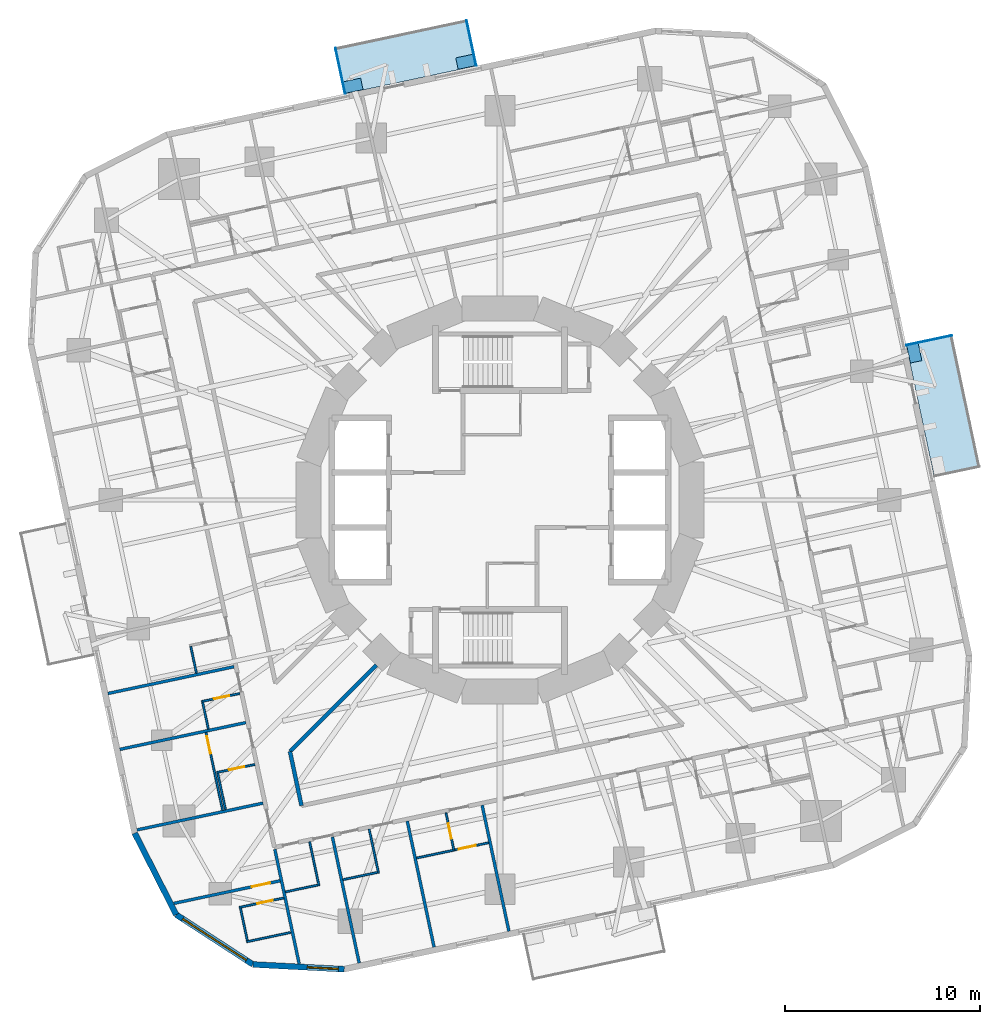
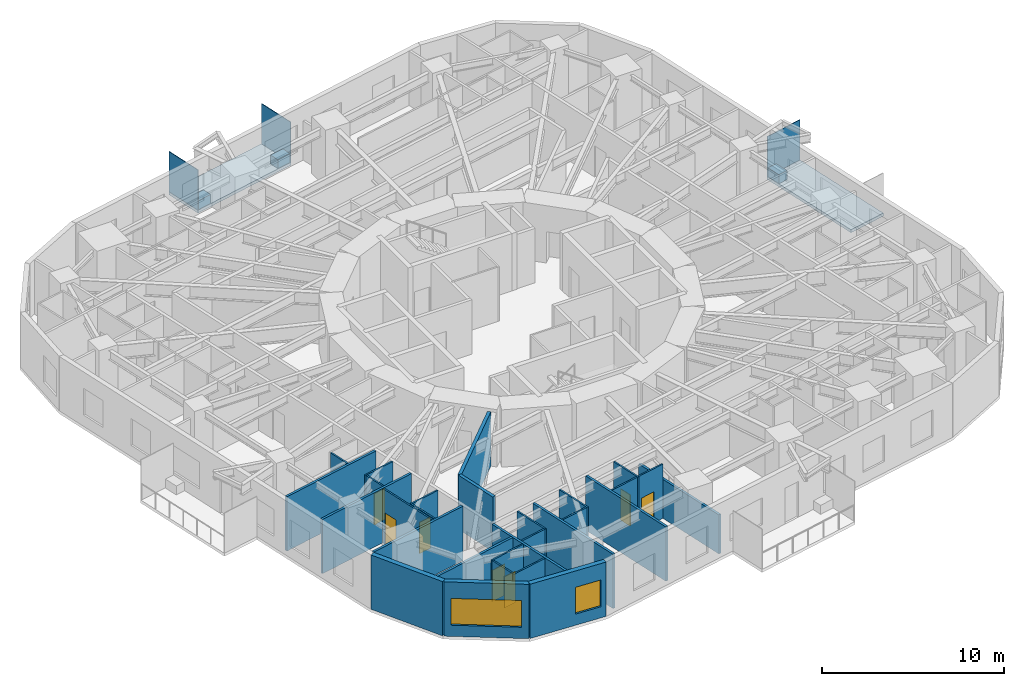
# One storey, part 4 of 14: 29 walls, 7 doors, 6 plates, 2 slabs, 2 windows, 9 openings.
"""IFC4 building model written with IfcOpenShell, lengths in metres."""

from ifc_helpers import new_model, si_unit, direction, frame, frame_2d, origin, origin_2d, place, context, subcontext, project, spatial, polyline, rectangle, outline, extrude, material, layer, layer_set, type_object, element, fill, save


model = new_model("IFC4")

# Units and contexts
model_context = context("Model", 3, precision=1e-05, world=origin(), true_north=direction((0.0, 1.0)))
body_context = subcontext(model_context, "Body", "Model", "MODEL_VIEW")
ifc_project = project(units=[si_unit("LENGTHUNIT", "METRE"), si_unit("AREAUNIT", "SQUARE_METRE"), si_unit("VOLUMEUNIT", "CUBIC_METRE"), si_unit("PLANEANGLEUNIT", "RADIAN"), si_unit("MASSUNIT", "GRAM", prefix="KILO")], contexts=[model_context])

# Site, building, storey
site_placement = place(None, origin())
site = spatial("IfcSite", under=ifc_project, at=site_placement, CompositionType="ELEMENT")
building_placement = place(site_placement, origin())
building = spatial("IfcBuilding", under=site, at=building_placement, Name="Nakasero Lantern House", CompositionType="ELEMENT")
storey_placement = place(building_placement, frame((0.0, 0.0, 124.25)))
storey = spatial("IfcBuildingStorey", under=building, at=storey_placement, Name="L30", CompositionType="ELEMENT", Elevation=124.25)

# Plates
ifc_material_1 = material(Name="Aluminium 6063-T6", Category="aluminium")
ifc_layer_1 = layer(ifc_material_1, 0.60009765625)
ifc_layer_set_1 = layer_set([ifc_layer_1], Name="Balcony planter 600x900")
plate_type_1 = type_object("IfcPlateType", Name="Balcony planter 600x900", PredefinedType="USERDEFINED", material=ifc_layer_set_1)
for number, where, z_axis, x_axis, name in (
    (1, (21.220947265625, 7.516357421875, 0.0), (0.0, 0.0, 1.0), (0.978147600734, 0.207911690818, 0.0), "Balcony PLANTER L30 BAL0B"),
    (2, (-1.764892578125, 22.443603515625, 0.0), (0.0, 0.0, 1.0), (-0.207911690818, 0.978147600734, 0.0), "Balcony PLANTER L30 BAL1A"),
    (3, (-7.516357421875, 21.220947265625, 0.0), (0.0, 0.0, 1.0), (-0.207911690818, 0.978147600734, 0.0), "Balcony PLANTER L30 BAL1B"),
):
    element("IfcPlate", number, at=place(storey_placement, frame(where, z_axis=z_axis, x_axis=x_axis)), inside=storey, type_object=plate_type_1, Name=name, ObjectType="PLANTER", PredefinedType="USERDEFINED", context=body_context, shape_type="SweptSolid", body=[
        extrude(rectangle(XDim=0.60009765625, YDim=0.89990234375, at=origin_2d()), origin(), (0.0, 0.0, 1.0), 0.60009765625),
    ])
ifc_material_2 = material(Name="Aluminium 6063-T6", Category="aluminium")
ifc_layer_2 = layer(ifc_material_2, 0.0400390625)
ifc_layer_set_2 = layer_set([ifc_layer_2], Name="Balcony screen 2400x2700")
plate_type_2 = type_object("IfcPlateType", Name="Balcony screen 2400x2700", PredefinedType="SHEET", material=ifc_layer_set_2)
for number, where, z_axis, x_axis, name in (
    (4, (21.97998046875, 8.1787109375, 0.0), (0.0, 0.0, 1.0), (0.978147600734, 0.207911690818, 0.0), "Balcony SCREEN L30 BAL0B"),
    (5, (-1.468505859375, 23.40625, 0.0), (0.0, 0.0, 1.0), (-0.207911690818, 0.978147600734, 0.0), "Balcony SCREEN L30 BAL1A"),
    (6, (-8.1787109375, 21.97998046875, 0.0), (0.0, 0.0, 1.0), (-0.207911690818, 0.978147600734, 0.0), "Balcony SCREEN L30 BAL1B"),
):
    element("IfcPlate", number, at=place(storey_placement, frame(where, z_axis=z_axis, x_axis=x_axis)), inside=storey, type_object=plate_type_2, Name=name, PredefinedType="SHEET", context=body_context, shape_type="SweptSolid", body=[
        extrude(rectangle(XDim=2.39990234375, YDim=0.0400390625, at=origin_2d()), origin(), (0.0, 0.0, 1.0), 2.699951171875),
    ])

# Slabs
ifc_material_3 = material(Name="Concrete C35/45", Category="concrete")
ifc_layer_3 = layer(ifc_material_3, 0.199951171875)
ifc_layer_set_3 = layer_set([ifc_layer_3], Name="Balcony slab 200")
slab_type = type_object("IfcSlabType", Name="Balcony slab 200", PredefinedType="USERDEFINED", material=ifc_layer_set_3)
slab_1_placement = place(storey_placement, frame((0.0, 0.0, -0.199951171875)))
element("IfcSlab", 7, at=slab_1_placement, inside=storey, type_object=slab_type, Name="Balcony L30 BAL0", ObjectType="BALCONY", PredefinedType="USERDEFINED", context=body_context, shape_type="SweptSolid", body=[
    extrude(outline(polyline([(22.236572265625, 1.199462890625), (24.583984375, 1.698486328125), (23.1494140625, 8.44775390625), (20.802001953125, 7.94873046875), (22.236572265625, 1.199462890625)])), origin(), (0.0, 0.0, 1.0), 0.199951171875),
])
slab_2_placement = place(storey_placement, frame((0.0, 0.0, -0.199951171875)))
element("IfcSlab", 8, at=slab_2_placement, inside=storey, type_object=slab_type, Name="Balcony L30 BAL1", ObjectType="BALCONY", PredefinedType="USERDEFINED", context=body_context, shape_type="SweptSolid", body=[
    extrude(outline(polyline([(-1.199462890625, 22.236572265625), (-1.698486328125, 24.583984375), (-8.44775390625, 23.1494140625), (-7.94873046875, 20.802001953125), (-1.199462890625, 22.236572265625)])), origin(), (0.0, 0.0, 1.0), 0.199951171875),
])

# Walls
ifc_material_4 = material(Name="Blockwork", Category="masonry")
ifc_layer_4 = layer(ifc_material_4, 0.199951171875)
ifc_layer_set_4 = layer_set([ifc_layer_4], Name="Corridor wall 200")
wall_type_1 = type_object("IfcWallType", Name="Corridor wall 200", PredefinedType="PARTITIONING", material=ifc_layer_set_4)
wall_1_placement = place(storey_placement, frame((-10.75732421875, -12.878662109375, 0.0), z_axis=(0.0, 0.0, 1.0), x_axis=(0.207908116695, -0.97814836043, 0.0)))
element("IfcWall", 9, at=wall_1_placement, inside=storey, type_object=wall_type_1, Name="Corridor wall L30 IW2-1", PredefinedType="PARTITIONING", context=body_context, shape_type="SweptSolid", body=[
    extrude(rectangle(XDim=2.83935546875, YDim=0.199951171875, at=frame_2d((1.419677734375, 0.0))), origin(), (0.0, 0.0, 1.0), 3.64990234375),
])
wall_2_placement = place(storey_placement, frame((-6.334228515625, -8.45556640625, 0.0), z_axis=(0.0, 0.0, 1.0), x_axis=(-0.707106781187, -0.707106781187, 0.0)))
element("IfcWall", 10, at=wall_2_placement, inside=storey, type_object=wall_type_1, Name="Corridor wall L30 PS10a", PredefinedType="PARTITIONING", context=body_context, shape_type="SweptSolid", body=[
    extrude(rectangle(XDim=6.255126953125, YDim=0.199951171875, at=frame_2d((3.12744140625, 0.0))), origin(), (0.0, 0.0, 1.0), 3.64990234375),
])
ifc_material_5 = material(Name="Blockwork", Category="masonry")
ifc_layer_5 = layer(ifc_material_5, 0.10009765625)
ifc_layer_set_5 = layer_set([ifc_layer_5], Name="En-suite wall 100")
wall_type_2 = type_object("IfcWallType", Name="En-suite wall 100", PredefinedType="PARTITIONING", material=ifc_layer_set_5)
wall_3_placement = place(storey_placement, frame((-15.836669921875, -7.50048828125, 0.0), z_axis=(0.0, 0.0, 1.0), x_axis=(0.207873355681, -0.978155748334, 0.0)))
element("IfcWall", 11, at=wall_3_placement, inside=storey, type_object=wall_type_2, Name="En-suite wall L30 EE2-05", PredefinedType="PARTITIONING", context=body_context, shape_type="SweptSolid", body=[
    extrude(rectangle(XDim=1.39990234375, YDim=0.10009765625, at=frame_2d((0.699951171875, 0.0))), origin(), (0.0, 0.0, 1.0), 3.64990234375),
])

# Wall, opening, door
wall_4_placement = place(storey_placement, frame((-13.331298828125, -9.908447265625, 0.0), z_axis=(0.0, 0.0, 1.0), x_axis=(-0.978128127149, -0.208003285743, 0.0)))
wall_4 = element("IfcWall", 12, at=wall_4_placement, inside=storey, type_object=wall_type_2, Name="En-suite wall L30 ES2-06", PredefinedType="PARTITIONING", context=body_context, shape_type="SweptSolid", body=[
    extrude(rectangle(XDim=2.0, YDim=0.10009765625, at=frame_2d((1.0, 0.0))), origin(), (0.0, 0.0, 1.0), 3.64990234375),
])
opening_1_placement = place(wall_4_placement, frame((0.550048828125, 0.0, 0.0)))
opening_1 = element("IfcOpeningElement", 13, at=opening_1_placement, cuts=wall_4, Name="Opening D02", PredefinedType="OPENING", context=body_context, shape_type="SweptSolid", body=[
    extrude(rectangle(XDim=0.800048828125, YDim=2.10009765625, at=frame_2d((0.39990234375, 1.050048828125))), frame((0.0, 0.070068359375, 0.0), z_axis=(0.0, -1.0, 0.0), x_axis=(1.0, 0.0, 0.0)), (0.0, 0.0, 1.0), 0.14013671875),
])
ifc_material_6 = material(Name="Timber C24", Category="wood")
door_type_1 = type_object("IfcDoorType", Name="En-suite door 800", OperationType="SINGLE_SWING_RIGHT", PredefinedType="DOOR", material=ifc_material_6)
door_1_placement = place(opening_1_placement, origin())
door_1 = element("IfcDoor", 14, at=door_1_placement, inside=storey, type_object=door_type_1, Name="Door L30 DE2-06", OperationType="SINGLE_SWING_LEFT", OverallHeight=2.10009765625, OverallWidth=0.800048828125, PredefinedType="DOOR", context=body_context, shape_type="SweptSolid", body=[
    extrude(rectangle(XDim=0.800048828125, YDim=2.10009765625, at=frame_2d((0.39990234375, 1.050048828125))), frame((0.0, 0.02490234375, 0.0), z_axis=(0.0, -1.0, 0.0), x_axis=(1.0, 0.0, 0.0)), (0.0, 0.0, 1.0), 0.050048828125),
])
fill(opening_1, door_1)

# Wall
wall_5_placement = place(storey_placement, frame((-15.228271484375, -10.36279296875, 0.0), z_axis=(0.0, 0.0, 1.0), x_axis=(0.207873355681, -0.978155748334, 0.0)))
element("IfcWall", 15, at=wall_5_placement, inside=storey, type_object=wall_type_2, Name="En-suite wall L30 EE2-06", PredefinedType="PARTITIONING", context=body_context, shape_type="SweptSolid", body=[
    extrude(rectangle(XDim=1.39990234375, YDim=0.10009765625, at=frame_2d((0.699951171875, 0.0))), origin(), (0.0, 0.0, 1.0), 3.64990234375),
])

# Wall, opening, door
wall_6_placement = place(storey_placement, frame((-12.55810546875, -13.54541015625, 0.0), z_axis=(0.0, 0.0, 1.0), x_axis=(-0.978152955943, -0.207886494942, 0.0)))
wall_6 = element("IfcWall", 16, at=wall_6_placement, inside=storey, type_object=wall_type_2, Name="En-suite wall L30 ES2-07", PredefinedType="PARTITIONING", context=body_context, shape_type="SweptSolid", body=[
    extrude(rectangle(XDim=2.0, YDim=0.10009765625, at=frame_2d((1.0, 0.0))), origin(), (0.0, 0.0, 1.0), 3.64990234375),
])
opening_2_placement = place(wall_6_placement, frame((0.550048828125, 0.0, 0.0)))
opening_2 = element("IfcOpeningElement", 17, at=opening_2_placement, cuts=wall_6, Name="Opening D02", PredefinedType="OPENING", context=body_context, shape_type="SweptSolid", body=[
    extrude(rectangle(XDim=0.800048828125, YDim=2.10009765625, at=frame_2d((0.39990234375, 1.050048828125))), frame((0.0, 0.070068359375, 0.0), z_axis=(0.0, -1.0, 0.0), x_axis=(1.0, 0.0, 0.0)), (0.0, 0.0, 1.0), 0.14013671875),
])
door_2_placement = place(opening_2_placement, origin())
door_2 = element("IfcDoor", 18, at=door_2_placement, inside=storey, type_object=door_type_1, Name="Door L30 DE2-07", OperationType="SINGLE_SWING_LEFT", OverallHeight=2.10009765625, OverallWidth=0.800048828125, PredefinedType="DOOR", context=body_context, shape_type="SweptSolid", body=[
    extrude(rectangle(XDim=0.800048828125, YDim=2.10009765625, at=frame_2d((0.39990234375, 1.050048828125))), frame((0.0, 0.02490234375, 0.0), z_axis=(0.0, -1.0, 0.0), x_axis=(1.0, 0.0, 0.0)), (0.0, 0.0, 1.0), 0.050048828125),
])
fill(opening_2, door_2)

# Wall
wall_7_placement = place(storey_placement, frame((-14.455078125, -13.999755859375, 0.0), z_axis=(0.0, 0.0, 1.0), x_axis=(0.207914082431, -0.978147092378, 0.0)))
element("IfcWall", 19, at=wall_7_placement, inside=storey, type_object=wall_type_2, Name="En-suite wall L30 EE2-07", PredefinedType="PARTITIONING", context=body_context, shape_type="SweptSolid", body=[
    extrude(rectangle(XDim=1.89990234375, YDim=0.10009765625, at=frame_2d((0.949951171875, 0.0))), origin(), (0.0, 0.0, 1.0), 3.64990234375),
])

# Wall, opening, door
wall_8_placement = place(storey_placement, frame((-11.069091796875, -20.382568359375, 0.0), z_axis=(0.0, 0.0, 1.0), x_axis=(-0.978136257952, -0.207965047255, 0.0)))
wall_8 = element("IfcWall", 20, at=wall_8_placement, inside=storey, type_object=wall_type_2, Name="En-suite wall L30 ES2-08", PredefinedType="PARTITIONING", context=body_context, shape_type="SweptSolid", body=[
    extrude(rectangle(XDim=2.3349609375, YDim=0.10009765625, at=frame_2d((1.16748046875, 0.0))), origin(), (0.0, 0.0, 1.0), 3.64990234375),
])
opening_3_placement = place(wall_8_placement, frame((0.5849609375, 0.0, 0.0)))
opening_3 = element("IfcOpeningElement", 21, at=opening_3_placement, cuts=wall_8, Name="Opening D02", PredefinedType="OPENING", context=body_context, shape_type="SweptSolid", body=[
    extrude(rectangle(XDim=0.800048828125, YDim=2.10009765625, at=frame_2d((0.39990234375, 1.050048828125))), frame((0.0, 0.070068359375, 0.0), z_axis=(0.0, -1.0, 0.0), x_axis=(1.0, 0.0, 0.0)), (0.0, 0.0, 1.0), 0.14013671875),
])
door_3_placement = place(opening_3_placement, origin())
door_3 = element("IfcDoor", 22, at=door_3_placement, inside=storey, type_object=door_type_1, Name="Door L30 DE2-08", OperationType="SINGLE_SWING_LEFT", OverallHeight=2.10009765625, OverallWidth=0.800048828125, PredefinedType="DOOR", context=body_context, shape_type="SweptSolid", body=[
    extrude(rectangle(XDim=0.800048828125, YDim=2.10009765625, at=frame_2d((0.39990234375, 1.050048828125))), frame((0.0, 0.02490234375, 0.0), z_axis=(0.0, -1.0, 0.0), x_axis=(1.0, 0.0, 0.0)), (0.0, 0.0, 1.0), 0.050048828125),
])
fill(opening_3, door_3)

# Walls
wall_9_placement = place(storey_placement, frame((-13.293701171875, -20.906494140625, 0.0), z_axis=(0.0, 0.0, 1.0), x_axis=(0.207812379357, -0.978168704767, 0.0)))
element("IfcWall", 23, at=wall_9_placement, inside=storey, type_object=wall_type_2, Name="En-suite wall L30 EE2-08", PredefinedType="PARTITIONING", context=body_context, shape_type="SweptSolid", body=[
    extrude(rectangle(XDim=1.699951171875, YDim=0.10009765625, at=frame_2d((0.85009765625, 0.0))), origin(), (0.0, 0.0, 1.0), 3.64990234375),
])
for number, where, z_axis, x_axis, name in (
    (24, (-10.72900390625, -22.150634765625, 0.0), (0.0, 0.0, 1.0), (-0.978162897375, -0.207839712757, 0.0), "En-suite wall L30 EV2-08"),
    (25, (-9.74755859375, -17.50927734375, 0.0), (0.0, 0.0, 1.0), (0.207839712757, -0.978162897375, 0.0), "En-suite wall L30 ES3-00"),
):
    element("IfcWall", number, at=place(storey_placement, frame(where, z_axis=z_axis, x_axis=x_axis)), inside=storey, type_object=wall_type_2, Name=name, PredefinedType="PARTITIONING", context=body_context, shape_type="SweptSolid", body=[
        extrude(rectangle(XDim=2.300048828125, YDim=0.10009765625, at=frame_2d((1.14990234375, 0.0))), origin(), (0.0, 0.0, 1.0), 3.64990234375),
    ])
wall_10_placement = place(storey_placement, frame((-10.99169921875, -20.073974609375, 0.0), z_axis=(0.0, 0.0, 1.0), x_axis=(0.97814571127, 0.207920579847, 0.0)))
element("IfcWall", 26, at=wall_10_placement, inside=storey, type_object=wall_type_2, Name="En-suite wall L30 EE3-00", PredefinedType="PARTITIONING", context=body_context, shape_type="SweptSolid", body=[
    extrude(rectangle(XDim=1.7001953125, YDim=0.10009765625, at=frame_2d((0.85009765625, 0.0))), origin(), (0.0, 0.0, 1.0), 3.64990234375),
])
wall_11_placement = place(storey_placement, frame((-6.69970703125, -16.861328125, 0.0), z_axis=(0.0, 0.0, 1.0), x_axis=(0.207941273027, -0.978141312374, 0.0)))
element("IfcWall", 27, at=wall_11_placement, inside=storey, type_object=wall_type_2, Name="En-suite wall L30 ES3-01", PredefinedType="PARTITIONING", context=body_context, shape_type="SweptSolid", body=[
    extrude(rectangle(XDim=2.300048828125, YDim=0.10009765625, at=frame_2d((1.14990234375, 0.0))), origin(), (0.0, 0.0, 1.0), 3.64990234375),
])
wall_12_placement = place(storey_placement, frame((-8.041259765625, -19.44677734375, 0.0), z_axis=(0.0, 0.0, 1.0), x_axis=(0.978140575842, 0.207944737591, 0.0)))
element("IfcWall", 28, at=wall_12_placement, inside=storey, type_object=wall_type_2, Name="En-suite wall L30 EE3-01", PredefinedType="PARTITIONING", context=body_context, shape_type="SweptSolid", body=[
    extrude(rectangle(XDim=1.7998046875, YDim=0.10009765625, at=frame_2d((0.89990234375, 0.0))), origin(), (0.0, 0.0, 1.0), 3.64990234375),
])

# Wall, opening, door
wall_13_placement = place(storey_placement, frame((-2.767822265625, -16.025634765625, 0.0), z_axis=(0.0, 0.0, 1.0), x_axis=(0.207886494942, -0.978152955943, 0.0)))
wall_13 = element("IfcWall", 29, at=wall_13_placement, inside=storey, type_object=wall_type_2, Name="En-suite wall L30 ES3-02", PredefinedType="PARTITIONING", context=body_context, shape_type="SweptSolid", body=[
    extrude(rectangle(XDim=2.0, YDim=0.10009765625, at=frame_2d((1.0, 0.0))), origin(), (0.0, 0.0, 1.0), 3.64990234375),
])
opening_4_placement = place(wall_13_placement, frame((0.550048828125, 0.0, 0.0)))
opening_4 = element("IfcOpeningElement", 30, at=opening_4_placement, cuts=wall_13, Name="Opening D02", PredefinedType="OPENING", context=body_context, shape_type="SweptSolid", body=[
    extrude(rectangle(XDim=0.800048828125, YDim=2.10009765625, at=frame_2d((0.39990234375, 1.050048828125))), frame((0.0, 0.070068359375, 0.0), z_axis=(0.0, -1.0, 0.0), x_axis=(1.0, 0.0, 0.0)), (0.0, 0.0, 1.0), 0.14013671875),
])
door_4_placement = place(opening_4_placement, origin())
door_4 = element("IfcDoor", 31, at=door_4_placement, inside=storey, type_object=door_type_1, Name="Door L30 DE3-02", OperationType="SINGLE_SWING_LEFT", OverallHeight=2.10009765625, OverallWidth=0.800048828125, PredefinedType="DOOR", context=body_context, shape_type="SweptSolid", body=[
    extrude(rectangle(XDim=0.800048828125, YDim=2.10009765625, at=frame_2d((0.39990234375, 1.050048828125))), frame((0.0, 0.02490234375, 0.0), z_axis=(0.0, -1.0, 0.0), x_axis=(1.0, 0.0, 0.0)), (0.0, 0.0, 1.0), 0.050048828125),
])
fill(opening_4, door_4)

# Wall
wall_14_placement = place(storey_placement, frame((-4.269775390625, -18.33837890625, 0.0), z_axis=(0.0, 0.0, 1.0), x_axis=(0.978147092378, 0.207914082431, 0.0)))
element("IfcWall", 32, at=wall_14_placement, inside=storey, type_object=wall_type_2, Name="En-suite wall L30 EE3-02", PredefinedType="PARTITIONING", context=body_context, shape_type="SweptSolid", body=[
    extrude(rectangle(XDim=1.89990234375, YDim=0.10009765625, at=frame_2d((0.949951171875, 0.0))), origin(), (0.0, 0.0, 1.0), 3.64990234375),
])

# Wall, opening, door
wall_15_placement = place(storey_placement, frame((-15.052734375, -11.91015625, 0.0), z_axis=(0.0, 0.0, 1.0), x_axis=(0.207942731049, -0.978141002414, 0.0)))
wall_15 = element("IfcWall", 33, at=wall_15_placement, inside=storey, type_object=wall_type_2, Name="En-suite wall L30 EL2-07", PredefinedType="PARTITIONING", context=body_context, shape_type="SweptSolid", body=[
    extrude(rectangle(XDim=4.068115234375, YDim=0.10009765625, at=frame_2d((2.0341796875, 0.0))), origin(), (0.0, 0.0, 1.0), 3.64990234375),
])
opening_5_placement = place(wall_15_placement, frame((0.199951171875, 0.0, 0.0)))
opening_5 = element("IfcOpeningElement", 34, at=opening_5_placement, cuts=wall_15, Name="Opening D17", PredefinedType="OPENING", context=body_context, shape_type="SweptSolid", body=[
    extrude(rectangle(XDim=0.89990234375, YDim=2.10009765625, at=frame_2d((0.449951171875, 1.050048828125))), frame((0.0, 0.070068359375, 0.0), z_axis=(0.0, -1.0, 0.0), x_axis=(1.0, 0.0, 0.0)), (0.0, 0.0, 1.0), 0.14013671875),
])
ifc_material_7 = material(Name="Timber C24", Category="wood")
door_type_2 = type_object("IfcDoorType", Name="Bedroom door FD30S 900", OperationType="SINGLE_SWING_LEFT", PredefinedType="DOOR", material=ifc_material_7)
door_5_placement = place(opening_5_placement, origin())
door_5 = element("IfcDoor", 35, at=door_5_placement, inside=storey, type_object=door_type_2, Name="Door L30 DL2-07", OperationType="SINGLE_SWING_LEFT", OverallHeight=2.10009765625, OverallWidth=0.89990234375, PredefinedType="DOOR", context=body_context, shape_type="SweptSolid", body=[
    extrude(rectangle(XDim=0.89990234375, YDim=2.10009765625, at=frame_2d((0.449951171875, 1.050048828125))), frame((0.0, 0.02490234375, 0.0), z_axis=(0.0, -1.0, 0.0), x_axis=(1.0, 0.0, 0.0)), (0.0, 0.0, 1.0), 0.050048828125),
])
fill(opening_5, door_5)

wall_16_placement = place(storey_placement, frame((-2.3134765625, -17.922607421875, 0.0), z_axis=(0.0, 0.0, 1.0), x_axis=(0.978142366117, 0.207936316228, 0.0)))
wall_16 = element("IfcWall", 36, at=wall_16_placement, inside=storey, type_object=wall_type_2, Name="En-suite wall L30 EL3-02", PredefinedType="PARTITIONING", context=body_context, shape_type="SweptSolid", body=[
    extrude(rectangle(XDim=1.769287109375, YDim=0.10009765625, at=frame_2d((0.884765625, 0.0))), origin(), (0.0, 0.0, 1.0), 3.64990234375),
])
opening_6_placement = place(wall_16_placement, frame((0.199951171875, 0.0, 0.0)))
opening_6 = element("IfcOpeningElement", 37, at=opening_6_placement, cuts=wall_16, Name="Opening D17", PredefinedType="OPENING", context=body_context, shape_type="SweptSolid", body=[
    extrude(rectangle(XDim=0.89990234375, YDim=2.10009765625, at=frame_2d((0.449951171875, 1.050048828125))), frame((0.0, 0.070068359375, 0.0), z_axis=(0.0, -1.0, 0.0), x_axis=(1.0, 0.0, 0.0)), (0.0, 0.0, 1.0), 0.14013671875),
])
door_6_placement = place(opening_6_placement, origin())
door_6 = element("IfcDoor", 38, at=door_6_placement, inside=storey, type_object=door_type_2, Name="Door L30 DL3-02", OperationType="SINGLE_SWING_LEFT", OverallHeight=2.10009765625, OverallWidth=0.89990234375, PredefinedType="DOOR", context=body_context, shape_type="SweptSolid", body=[
    extrude(rectangle(XDim=0.89990234375, YDim=2.10009765625, at=frame_2d((0.449951171875, 1.050048828125))), frame((0.0, 0.02490234375, 0.0), z_axis=(0.0, -1.0, 0.0), x_axis=(1.0, 0.0, 0.0)), (0.0, 0.0, 1.0), 0.050048828125),
])
fill(opening_6, door_6)

# Wall
ifc_material_8 = material(Name="Aluminium rainscreen on blockwork", Category="masonry")
ifc_layer_6 = layer(ifc_material_8, 0.300048828125)
ifc_layer_set_6 = layer_set([ifc_layer_6], Name="Facade wall 300")
wall_type_3 = type_object("IfcWallType", Name="Facade wall 300", PredefinedType="SOLIDWALL", material=ifc_layer_set_6)
wall_17_placement = place(storey_placement, frame((-18.711181640625, -17.063232421875, 0.0), z_axis=(0.0, 0.0, 1.0), x_axis=(0.453975745332, -0.89101404178, 0.0)))
element("IfcWall", 39, at=wall_17_placement, inside=storey, type_object=wall_type_3, Name="Facade wall L30 FW2C1", PredefinedType="SOLIDWALL", context=body_context, shape_type="SweptSolid", body=[
    extrude(rectangle(XDim=4.6845703125, YDim=0.300048828125, at=frame_2d((2.34228515625, 0.0))), origin(), (0.0, 0.0, 1.0), 3.64990234375),
])

# Wall, opening, window
wall_18_placement = place(storey_placement, frame((-16.58447265625, -21.2373046875, 0.0), z_axis=(0.0, 0.0, 1.0), x_axis=(0.838692381994, -0.544605442853, 0.0)))
wall_18 = element("IfcWall", 40, at=wall_18_placement, inside=storey, type_object=wall_type_3, Name="Facade wall L30 FW2C2", PredefinedType="SOLIDWALL", context=body_context, shape_type="SweptSolid", body=[
    extrude(rectangle(XDim=4.6845703125, YDim=0.300048828125, at=frame_2d((2.34228515625, 0.0))), origin(), (0.0, 0.0, 1.0), 3.64990234375),
])
opening_7_placement = place(wall_18_placement, frame((0.39990234375, 0.0, 0.75)))
opening_7 = element("IfcOpeningElement", 41, at=opening_7_placement, cuts=wall_18, Name="Opening W238", PredefinedType="OPENING", context=body_context, shape_type="SweptSolid", body=[
    extrude(rectangle(XDim=3.885009765625, YDim=1.800048828125, at=frame_2d((1.9423828125, 0.89990234375))), frame((0.0, 0.169921875, 0.0), z_axis=(0.0, -1.0, 0.0), x_axis=(1.0, 0.0, 0.0)), (0.0, 0.0, 1.0), 0.340087890625),
])
ifc_material_9 = material(Name="Aluminium 6063-T6 and glass", Category="aluminium")
window_type_1 = type_object("IfcWindowType", Name="Corner window 3885x1800", PartitioningType="SINGLE_PANEL", PredefinedType="WINDOW", material=ifc_material_9)
window_1_placement = place(opening_7_placement, origin())
window_1 = element("IfcWindow", 42, at=window_1_placement, inside=storey, type_object=window_type_1, Name="Window L30 WC2", OverallHeight=1.800048828125, OverallWidth=3.885009765625, PartitioningType="SINGLE_PANEL", PredefinedType="WINDOW", context=body_context, shape_type="SweptSolid", body=[
    extrude(rectangle(XDim=3.885009765625, YDim=1.800048828125, at=frame_2d((1.9423828125, 0.89990234375))), frame((0.0, 0.030029296875, 0.0), z_axis=(0.0, -1.0, 0.0), x_axis=(1.0, 0.0, 0.0)), (0.0, 0.0, 1.0), 0.06005859375),
])
fill(opening_7, window_1)

wall_19_placement = place(storey_placement, frame((-12.655517578125, -23.78857421875, 0.0), z_axis=(0.0, 0.0, 1.0), x_axis=(0.998630039879, -0.052326317, 0.0)))
wall_19 = element("IfcWall", 43, at=wall_19_placement, inside=storey, type_object=wall_type_3, Name="Facade wall L30 FW2C3", PredefinedType="SOLIDWALL", context=body_context, shape_type="SweptSolid", body=[
    extrude(rectangle(XDim=4.684326171875, YDim=0.300048828125, at=frame_2d((2.34228515625, 0.0))), origin(), (0.0, 0.0, 1.0), 3.64990234375),
])
opening_8_placement = place(wall_19_placement, frame((2.784912109375, 0.0, 0.75)))
opening_8 = element("IfcOpeningElement", 44, at=opening_8_placement, cuts=wall_19, Name="Opening W01", PredefinedType="OPENING", context=body_context, shape_type="SweptSolid", body=[
    extrude(rectangle(XDim=1.60009765625, YDim=1.800048828125, at=frame_2d((0.800048828125, 0.89990234375))), frame((0.0, 0.169921875, 0.0), z_axis=(0.0, -1.0, 0.0), x_axis=(1.0, 0.0, 0.0)), (0.0, 0.0, 1.0), 0.340087890625),
])
ifc_material_10 = material(Name="Aluminium 6063-T6 and glass", Category="aluminium")
window_type_2 = type_object("IfcWindowType", Name="Bedroom window 1600x1800", PartitioningType="SINGLE_PANEL", PredefinedType="WINDOW", material=ifc_material_10)
window_2_placement = place(opening_8_placement, origin())
window_2 = element("IfcWindow", 45, at=window_2_placement, inside=storey, type_object=window_type_2, Name="Window L30 WN3-00", OverallHeight=1.800048828125, OverallWidth=1.60009765625, PartitioningType="SINGLE_PANEL", PredefinedType="WINDOW", context=body_context, shape_type="SweptSolid", body=[
    extrude(rectangle(XDim=1.60009765625, YDim=1.800048828125, at=frame_2d((0.800048828125, 0.89990234375))), frame((0.0, 0.030029296875, 0.0), z_axis=(0.0, -1.0, 0.0), x_axis=(1.0, 0.0, 0.0)), (0.0, 0.0, 1.0), 0.06005859375),
])
fill(opening_8, window_2)

# Walls
ifc_material_11 = material(Name="Blockwork", Category="masonry")
ifc_layer_7 = layer(ifc_material_11, 0.14990234375)
ifc_layer_set_7 = layer_set([ifc_layer_7], Name="Party wall 150")
wall_type_4 = type_object("IfcWallType", Name="Party wall 150", PredefinedType="PARTITIONING", material=ifc_layer_set_7)
for number, where, z_axis, x_axis, name in (
    (46, (-13.62255859375, -8.537841796875, 0.0), (0.0, 0.0, 1.0), (-0.97815236361, -0.207889281984, 0.0), "Party wall L30 PW2-06"),
    (47, (-13.01416015625, -11.400146484375, 0.0), (0.0, 0.0, 1.0), (-0.978144841009, -0.207924673876, 0.0), "Party wall L30 PW2-07"),
    (48, (-12.13720703125, -15.526123046875, 0.0), (0.0, 0.0, 1.0), (-0.978144841009, -0.207924673876, 0.0), "Party wall L30 PW2-08"),
):
    element("IfcWall", number, at=place(storey_placement, frame(where, z_axis=z_axis, x_axis=x_axis)), inside=storey, type_object=wall_type_4, Name=name, PredefinedType="PARTITIONING", context=body_context, shape_type="SweptSolid", body=[
        extrude(rectangle(XDim=6.60009765625, YDim=0.14990234375, at=frame_2d((3.300048828125, 0.0))), origin(), (0.0, 0.0, 1.0), 3.64990234375),
    ])

# Wall, opening, door
wall_20_placement = place(storey_placement, frame((-11.256103515625, -19.502197265625, 0.0), z_axis=(0.0, 0.0, 1.0), x_axis=(-0.978142361087, -0.207936339891, 0.0)))
wall_20 = element("IfcWall", 49, at=wall_20_placement, inside=storey, type_object=wall_type_4, Name="Party wall L30 PC2", PredefinedType="PARTITIONING", context=body_context, shape_type="SweptSolid", body=[
    extrude(rectangle(XDim=5.570068359375, YDim=0.14990234375, at=frame_2d((2.78515625, 0.0))), origin(), (0.0, 0.0, 1.0), 3.64990234375),
])
opening_9_placement = place(wall_20_placement, frame((0.534912109375, 0.0, 0.0)))
opening_9 = element("IfcOpeningElement", 50, at=opening_9_placement, cuts=wall_20, Name="Opening D01", PredefinedType="OPENING", context=body_context, shape_type="SweptSolid", body=[
    extrude(rectangle(XDim=0.949951171875, YDim=2.10009765625, at=frame_2d((0.47509765625, 1.050048828125))), frame((0.0, 0.094970703125, 0.0), z_axis=(0.0, -1.0, 0.0), x_axis=(1.0, 0.0, 0.0)), (0.0, 0.0, 1.0), 0.18994140625),
])
ifc_material_12 = material(Name="Timber C24", Category="wood")
door_type_3 = type_object("IfcDoorType", Name="Bedroom door FD30S 950", OperationType="SINGLE_SWING_LEFT", PredefinedType="DOOR", material=ifc_material_12)
door_7_placement = place(opening_9_placement, origin())
door_7 = element("IfcDoor", 51, at=door_7_placement, inside=storey, type_object=door_type_3, Name="Door L30 DC2", OperationType="SINGLE_SWING_LEFT", OverallHeight=2.10009765625, OverallWidth=0.949951171875, PredefinedType="DOOR", context=body_context, shape_type="SweptSolid", body=[
    extrude(rectangle(XDim=0.949951171875, YDim=2.10009765625, at=frame_2d((0.47509765625, 1.050048828125))), frame((0.0, 0.02490234375, 0.0), z_axis=(0.0, -1.0, 0.0), x_axis=(1.0, 0.0, 0.0)), (0.0, 0.0, 1.0), 0.050048828125),
])
fill(opening_9, door_7)

# Walls
wall_21_placement = place(storey_placement, frame((-11.53271484375, -17.888671875, 0.0), z_axis=(0.0, 0.0, 1.0), x_axis=(0.207886494942, -0.978152955943, 0.0)))
element("IfcWall", 52, at=wall_21_placement, inside=storey, type_object=wall_type_4, Name="Party wall L30 PW3-00", PredefinedType="PARTITIONING", context=body_context, shape_type="SweptSolid", body=[
    extrude(rectangle(XDim=6.0, YDim=0.14990234375, at=frame_2d((3.0, 0.0))), origin(), (0.0, 0.0, 1.0), 3.64990234375),
])
wall_22_placement = place(storey_placement, frame((-8.58251953125, -17.26171875, 0.0), z_axis=(0.0, 0.0, 1.0), x_axis=(0.207932197326, -0.978143241716, 0.0)))
element("IfcWall", 53, at=wall_22_placement, inside=storey, type_object=wall_type_4, Name="Party wall L30 PW3-01", PredefinedType="PARTITIONING", context=body_context, shape_type="SweptSolid", body=[
    extrude(rectangle(XDim=6.599853515625, YDim=0.14990234375, at=frame_2d((3.2998046875, 0.0))), origin(), (0.0, 0.0, 1.0), 3.64990234375),
])
wall_23_placement = place(storey_placement, frame((-4.748779296875, -16.44677734375, 0.0), z_axis=(0.0, 0.0, 1.0), x_axis=(0.207924673876, -0.978144841009, 0.0)))
element("IfcWall", 54, at=wall_23_placement, inside=storey, type_object=wall_type_4, Name="Party wall L30 PW3-02", PredefinedType="PARTITIONING", context=body_context, shape_type="SweptSolid", body=[
    extrude(rectangle(XDim=6.60009765625, YDim=0.14990234375, at=frame_2d((3.300048828125, 0.0))), origin(), (0.0, 0.0, 1.0), 3.64990234375),
])
wall_24_placement = place(storey_placement, frame((-0.914794921875, -15.6318359375, 0.0), z_axis=(0.0, 0.0, 1.0), x_axis=(0.207924673876, -0.978144841009, 0.0)))
element("IfcWall", 55, at=wall_24_placement, inside=storey, type_object=wall_type_4, Name="Party wall L30 PW3-03", PredefinedType="PARTITIONING", context=body_context, shape_type="SweptSolid", body=[
    extrude(rectangle(XDim=6.60009765625, YDim=0.14990234375, at=frame_2d((3.300048828125, 0.0))), origin(), (0.0, 0.0, 1.0), 2.623779296875),
])

save(model, "model.ifc")
